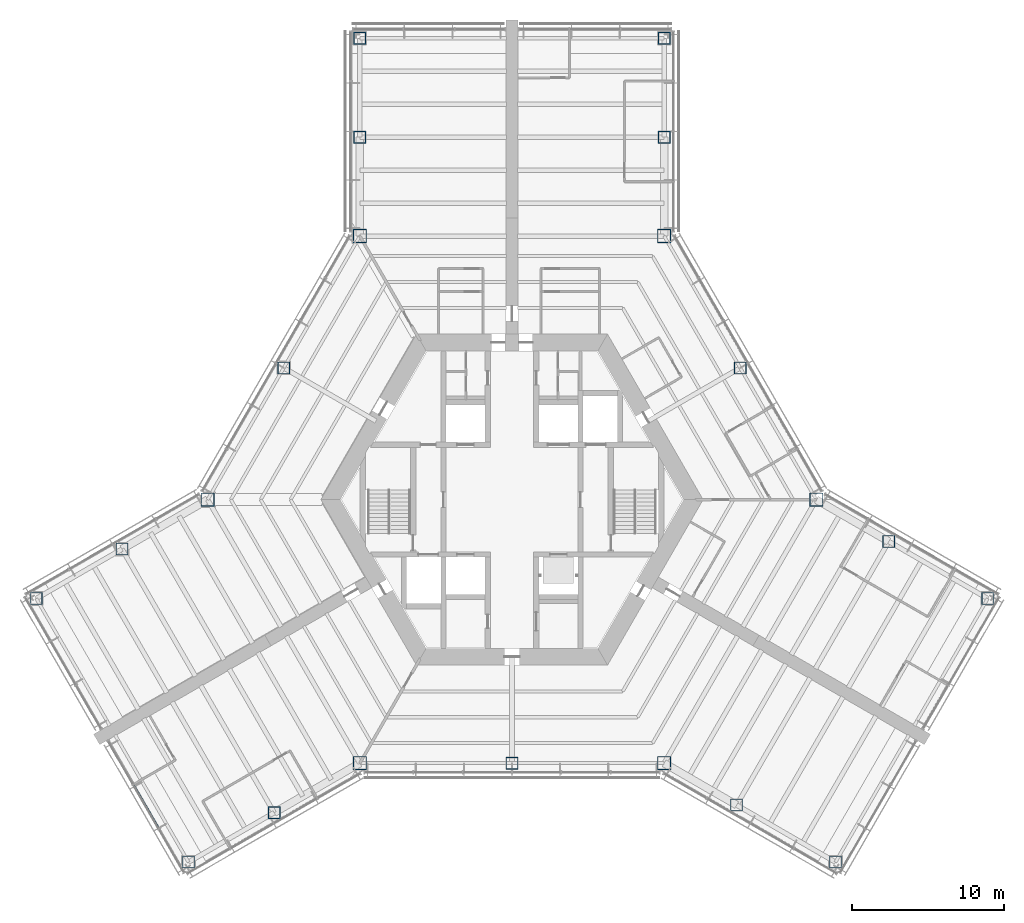
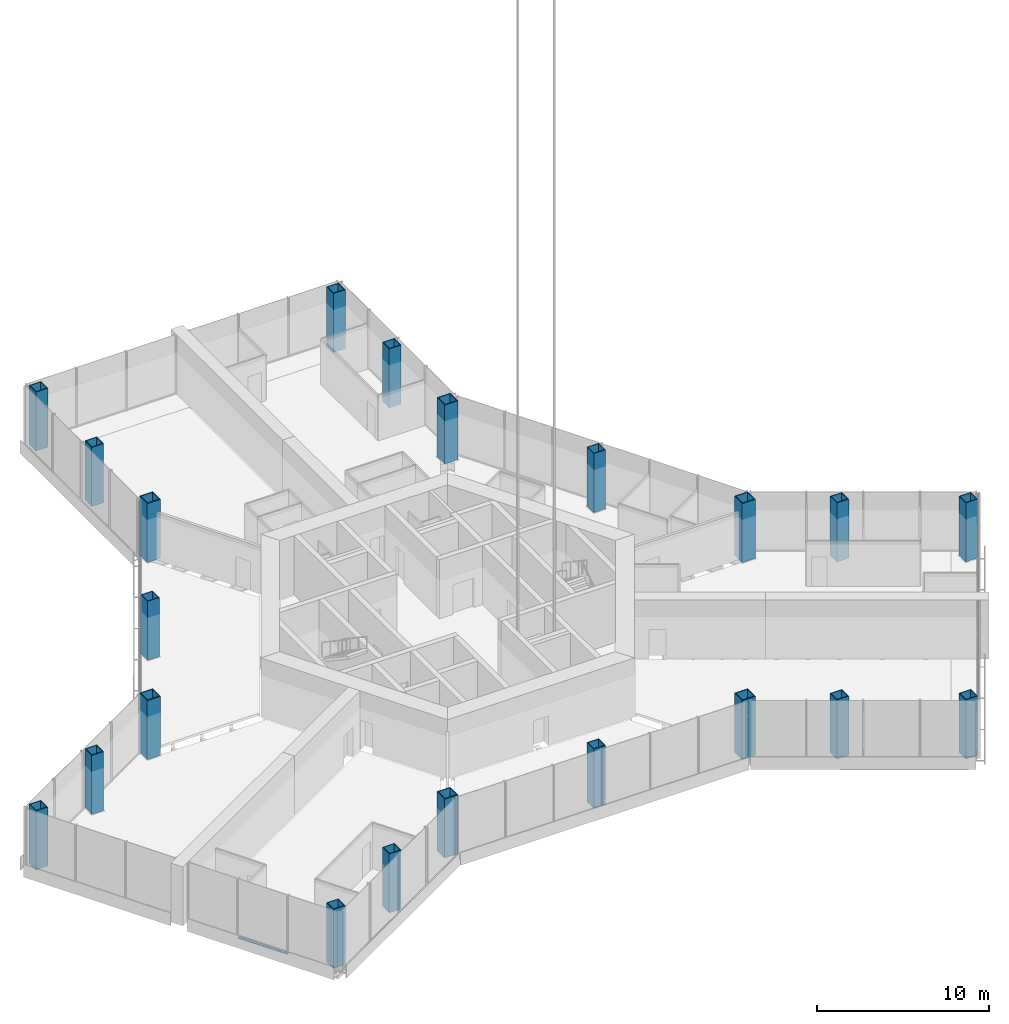
# One storey, part 1 of 18: 21 columns, 1 member, 1 element without a shape of its own.
"""IFC4 building model written with IfcOpenShell, lengths in metres."""

from ifc_helpers import new_model, si_unit, direction, frame, origin, origin_2d, place, context, subcontext, project, spatial, rectangle, hollow_rectangle, extrude, material, material_profile, profile_set, type_object, element, aggregate, save


model = new_model("IFC4")

# Units and contexts
model_context = context("Model", 3, precision=1e-05, world=origin(), true_north=direction((0.0, 1.0)))
body_context = subcontext(model_context, "Body", "Model", "MODEL_VIEW")
ifc_project = project(units=[si_unit("LENGTHUNIT", "METRE"), si_unit("AREAUNIT", "SQUARE_METRE"), si_unit("VOLUMEUNIT", "CUBIC_METRE"), si_unit("PLANEANGLEUNIT", "RADIAN"), si_unit("MASSUNIT", "GRAM", prefix="KILO")], contexts=[model_context])

# Site, building, storey
site_placement = place(None, origin())
site = spatial("IfcSite", under=ifc_project, at=site_placement, CompositionType="ELEMENT")
building_placement = place(site_placement, origin())
building = spatial("IfcBuilding", under=site, at=building_placement, Name="Kasaneha Research Tower", CompositionType="ELEMENT")
storey_placement = place(building_placement, frame((0.0, 0.0, 57.0)))
storey = spatial("IfcBuildingStorey", under=building, at=storey_placement, Name="L14", CompositionType="ELEMENT", Elevation=57.0)

# Columns
ifc_material_1 = material(Name="Steel SN490C", Category="steel")
ifc_material_profile_1 = material_profile(ifc_material_1, hollow_rectangle(XDim=0.89990234375, YDim=0.89990234375, WallThickness=0.054931640625, at=origin_2d()), Name="BOX-900x900x55")
ifc_profile_set_1 = profile_set([ifc_material_profile_1], Name="Steel SN490C")
column_type_1 = type_object("IfcColumnType", Name="C2A column BOX-900x900x55", PredefinedType="COLUMN", material=ifc_profile_set_1)
for number, where, z_axis, x_axis, name in (
    (1, (20.0, 0.0, 0.0), (0.0, 0.0, 1.0), (1.0, 0.0, 0.0), "Column V0 L14"),
    (2, (10.0, 17.320556640625, 0.0), (0.0, 0.0, 1.0), (1.0, 0.0, 0.0), "Column V1 L14"),
    (3, (-10.0, 17.320556640625, 0.0), (0.0, 0.0, 1.0), (1.0, 0.0, 0.0), "Column V2 L14"),
    (4, (-20.0, 0.0, 0.0), (0.0, 0.0, 1.0), (1.0, 0.0, 0.0), "Column V3 L14"),
    (5, (-10.0, -17.320556640625, 0.0), (0.0, 0.0, 1.0), (1.0, 0.0, 0.0), "Column V4 L14"),
    (6, (10.0, -17.320556640625, 0.0), (0.0, 0.0, 1.0), (1.0, 0.0, 0.0), "Column V5 L14"),
):
    element("IfcColumn", number, at=place(storey_placement, frame(where, z_axis=z_axis, x_axis=x_axis)), inside=storey, type_object=column_type_1, Name=name, PredefinedType="COLUMN", context=body_context, shape_type="SweptSolid", body=[
        extrude(hollow_rectangle(XDim=0.89990234375, YDim=0.89990234375, WallThickness=0.054931640625, at=origin_2d()), origin(), (0.0, 0.0, 1.0), 4.199951171875),
    ])
ifc_material_2 = material(Name="Steel SN490C", Category="steel")
ifc_material_profile_2 = material_profile(ifc_material_2, hollow_rectangle(XDim=0.800048828125, YDim=0.800048828125, WallThickness=0.044921875, at=origin_2d()), Name="BOX-800x800x45")
ifc_profile_set_2 = profile_set([ifc_material_profile_2], Name="Steel SN490C")
column_type_2 = type_object("IfcColumnType", Name="C2B column BOX-800x800x45", PredefinedType="COLUMN", material=ifc_profile_set_2)
for number, where, z_axis, x_axis, name in (
    (7, (15.0, 8.66015625, 0.0), (0.0, 0.0, 1.0), (1.0, 0.0, 0.0), "Column M030 L14"),
    (8, (-15.0, 8.66015625, 0.0), (0.0, 0.0, 1.0), (1.0, 0.0, 0.0), "Column M150 L14"),
    (9, (0.0, -17.320556640625, 0.0), (0.0, 0.0, 1.0), (1.0, 0.0, 0.0), "Column M270 L14"),
    (10, (10.0, 23.820556640625, 0.0), (0.0, 0.0, 1.0), (1.0, 0.0, 0.0), "Column ASP L14"),
    (11, (10.0, 30.320556640625, 0.0), (0.0, 0.0, 1.0), (1.0, 0.0, 0.0), "Column ATP L14"),
    (12, (-10.0, 23.820556640625, 0.0), (0.0, 0.0, 1.0), (1.0, 0.0, 0.0), "Column ASN L14"),
    (13, (-10.0, 30.320556640625, 0.0), (0.0, 0.0, 1.0), (1.0, 0.0, 0.0), "Column ATN L14"),
    (14, (-25.629150390625, -3.25, 0.0), (0.0, 0.0, 1.0), (1.0, 0.0, 0.0), "Column BSP L14"),
    (15, (-31.25830078125, -6.5, 0.0), (0.0, 0.0, 1.0), (1.0, 0.0, 0.0), "Column BTP L14"),
    (16, (-15.629150390625, -20.570556640625, 0.0), (0.0, 0.0, 1.0), (1.0, 0.0, 0.0), "Column BSN L14"),
    (17, (-21.25830078125, -23.820556640625, 0.0), (0.0, 0.0, 1.0), (1.0, 0.0, 0.0), "Column BTN L14"),
    (18, (14.76318359375, -20.070556640625, 0.0), (0.0, 0.0, 1.0), (1.0, 0.0, 0.0), "Column CSP L14"),
    (19, (21.25830078125, -23.820556640625, 0.0), (0.0, 0.0, 1.0), (1.0, 0.0, 0.0), "Column CTP L14"),
    (20, (24.76318359375, -2.75, 0.0), (0.0, 0.0, 1.0), (1.0, 0.0, 0.0), "Column CSN L14"),
    (21, (31.25830078125, -6.5, 0.0), (0.0, 0.0, 1.0), (1.0, 0.0, 0.0), "Column CTN L14"),
):
    element("IfcColumn", number, at=place(storey_placement, frame(where, z_axis=z_axis, x_axis=x_axis)), inside=storey, type_object=column_type_2, Name=name, PredefinedType="COLUMN", context=body_context, shape_type="SweptSolid", body=[
        extrude(hollow_rectangle(XDim=0.800048828125, YDim=0.800048828125, WallThickness=0.044921875, at=origin_2d()), origin(), (0.0, 0.0, 1.0), 4.199951171875),
    ])

# Curtain wall, member
ifc_material_3 = material(Name="Glass and aluminium", Category="aluminium")
curtain_wall_type = type_object("IfcCurtainWallType", Name="Sky lobby curtain wall", PredefinedType="USERDEFINED", material=ifc_material_3)
curtain_wall_placement = place(storey_placement, origin())
curtain_wall = element("IfcCurtainWall", 22, at=curtain_wall_placement, inside=storey, type_object=curtain_wall_type, Name="CW-S L14 run 15a", ObjectType="UNITISED CURTAIN WALL", PredefinedType="USERDEFINED")
ifc_material_4 = material(Name="Aluminium 6063-T6", Category="aluminium")
ifc_material_profile_3 = material_profile(ifc_material_4, rectangle(XDim=0.159912109375, YDim=0.070068359375, at=origin_2d()), Name="CW-S transom 160x70")
ifc_profile_set_3 = profile_set([ifc_material_profile_3], Name="Aluminium 6063-T6")
member_type = type_object("IfcMemberType", Name="CW-S transom", PredefinedType="USERDEFINED", material=ifc_profile_set_3)
member_placement = place(storey_placement, frame((-24.877197265625, -18.752685546875, 0.034912109375), z_axis=(0.500025879676, -0.866010461631, 0.0), x_axis=(0.866010461631, 0.500025879676, 0.0)))
member = element("IfcMember", 23, at=member_placement, type_object=member_type, Name="CW-S transom 2", ObjectType="TRANSOM", PredefinedType="USERDEFINED", context=body_context, shape_type="SweptSolid", body=[
    extrude(rectangle(XDim=0.159912109375, YDim=0.070068359375, at=origin_2d()), origin(), (0.0, 0.0, 1.0), 3.296630859375),
])
aggregate(curtain_wall, [member])

save(model, "model.ifc")
